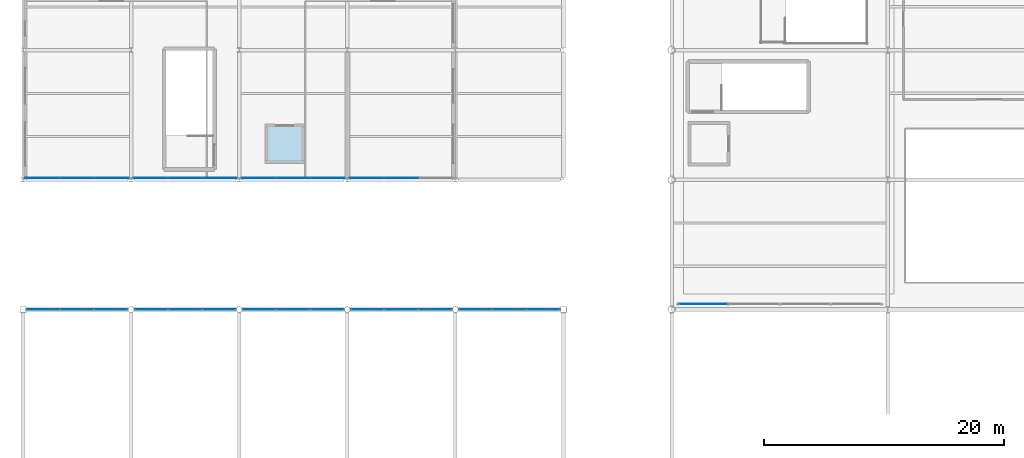
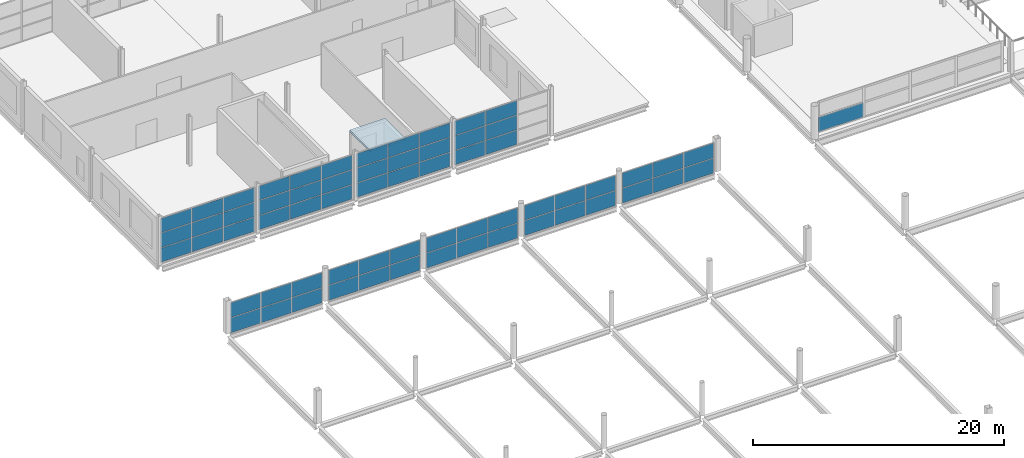
# One storey, part 114 of 134: 64 plates, 1 slab, 10 elements without a shape of their own.
"""IFC4 building model written with IfcOpenShell, lengths in metres."""

import ifcopenshell
import ifcopenshell.guid

model = None  # the IFC model being written
_history = None  # IfcOwnerHistory: only IFC2X3 demands one
_inside = {}  # id of a spatial element -> (the spatial element, [elements in it])
_under = {}  # id of a project, library or spatial element -> (it, [spatial elements below it])
_declared = {}  # id of a project -> (the project, [libraries it declares])
_typed = {}  # id of a type object -> (the type object, [elements of that type])
_made_of = {}  # id of a material, layer set ... -> (it, [elements and type objects made of it])


def new_model(schema):
    """Start an empty IFC model of exactly this schema.

    Asked for "IFC4X3", IfcOpenShell would pick the latest addendum, in which some entities
    have other attributes; the version numbers below select the first issue.
    IFC2X3 requires an IfcOwnerHistory on every rooted entity: one is made here for all.
    """
    global model, _history
    if schema == "IFC4X3":
        model = ifcopenshell.file(schema_version=(4, 3, 0, 0))
    else:
        model = ifcopenshell.file(schema=schema)
    _inside.clear()
    _under.clear()
    _declared.clear()
    _typed.clear()
    _made_of.clear()
    _history = None
    if model.schema == "IFC2X3":
        org = make("IfcOrganization", Name="unknown")
        user = make(
            "IfcPersonAndOrganization",
            ThePerson=make("IfcPerson", FamilyName="unknown"),
            TheOrganization=org,
        )
        app = make(
            "IfcApplication",
            ApplicationDeveloper=org,
            Version="unknown",
            ApplicationFullName="unknown",
            ApplicationIdentifier="unknown",
        )
        _history = make(
            "IfcOwnerHistory",
            OwningUser=user,
            OwningApplication=app,
            ChangeAction="ADDED",
            CreationDate=0,
        )
    return model


def make(cls, **values):
    """One entity of the class cls with the attributes given. An attribute that is None is left unset."""
    return model.create_entity(
        cls, **{name: value for name, value in values.items() if value is not None}
    )


def rooted(cls, **values):
    """An entity with a GlobalId (a new one), such as an element, a storey or a relation."""
    return make(cls, GlobalId=ifcopenshell.guid.new(), OwnerHistory=_history, **values)


def si_unit(unit_type, name, prefix=None):
    """IfcSIUnit, for example si_unit("LENGTHUNIT", "METRE", prefix="MILLI")."""
    return make("IfcSIUnit", UnitType=unit_type, Prefix=prefix, Name=name)


def assignment(units):
    """IfcUnitAssignment: the units of a project."""
    return None if units is None else make("IfcUnitAssignment", Units=units)


def point(xyz):
    """IfcCartesianPoint."""
    return None if xyz is None else make("IfcCartesianPoint", Coordinates=xyz)


def direction(xyz):
    """IfcDirection."""
    return None if xyz is None else make("IfcDirection", DirectionRatios=xyz)


def frame(location, z_axis=None, x_axis=None):
    """IfcAxis2Placement3D, a coordinate frame: its origin and axes. An axis left out is left unset."""
    return make(
        "IfcAxis2Placement3D",
        Location=point(location),
        Axis=direction(z_axis),
        RefDirection=direction(x_axis),
    )


def frame_2d(location, x_axis=None):
    """IfcAxis2Placement2D, a coordinate frame in the plane: its origin and x axis."""
    return make(
        "IfcAxis2Placement2D", Location=point(location), RefDirection=direction(x_axis)
    )


def origin():
    """The frame at (0, 0, 0) with its axes left unset."""
    return frame((0.0, 0.0, 0.0))


def origin_2d():
    """The frame at (0, 0) in the plane with its x axis left unset."""
    return frame_2d((0.0, 0.0))


def place(relative_to, where):
    """IfcLocalPlacement: puts the frame where relative to a parent placement (None: the world)."""
    return make(
        "IfcLocalPlacement", PlacementRelTo=relative_to, RelativePlacement=where
    )


def context(
    kind, dimensions, precision=None, world=None, true_north=None, identifier=None
):
    """IfcGeometricRepresentationContext, for example the 3D "Model" context."""
    return make(
        "IfcGeometricRepresentationContext",
        ContextIdentifier=identifier,
        ContextType=kind,
        CoordinateSpaceDimension=dimensions,
        Precision=precision,
        WorldCoordinateSystem=world,
        TrueNorth=true_north,
    )


def subcontext(parent, identifier, kind, view, scale=None):
    """IfcGeometricRepresentationSubContext, for example "Body" below "Model"."""
    return make(
        "IfcGeometricRepresentationSubContext",
        ContextIdentifier=identifier,
        ContextType=kind,
        ParentContext=parent,
        TargetScale=scale,
        TargetView=view,
    )


def project(units=None, contexts=None):
    """IfcProject with its units and contexts."""
    return rooted(
        "IfcProject",
        Name="project",
        RepresentationContexts=contexts,
        UnitsInContext=assignment(units),
    )


def spatial(cls, under=None, at=None, **own):
    """A site, building, storey or space (cls), placed at a placement, below another one or the project."""
    s = rooted(cls, ObjectPlacement=at, **own)
    if under is not None:
        _under.setdefault(under.id(), (under, []))[1].append(s)
    return s


def polyline(points):
    """IfcPolyline through the points."""
    return make("IfcPolyline", Points=[point(p) for p in points])


def profile(cls, at=None, kind="AREA", **sizes):
    """A parametric profile (cls). Its sizes go by their IFC names, for example OverallWidth=200.0."""
    return make(cls, ProfileType=kind, Position=at, **sizes)


def rectangle(**sizes):
    """IfcRectangleProfileDef."""
    return profile("IfcRectangleProfileDef", **sizes)


def outline(outer, holes=None, kind="AREA"):
    """IfcArbitraryClosedProfileDef: a profile drawn as a closed curve; with holes, ...WithVoids."""
    if holes is None:
        return make("IfcArbitraryClosedProfileDef", ProfileType=kind, OuterCurve=outer)
    return make(
        "IfcArbitraryProfileDefWithVoids",
        ProfileType=kind,
        OuterCurve=outer,
        InnerCurves=holes,
    )


def extrude(swept, where, along, depth):
    """IfcExtrudedAreaSolid: the profile swept, set in the frame where, extruded along a direction by depth."""
    return make(
        "IfcExtrudedAreaSolid",
        SweptArea=swept,
        Position=where,
        ExtrudedDirection=direction(along),
        Depth=depth,
    )


def shape(context_of_items, identifier, shape_type, items):
    """IfcShapeRepresentation: the items that make up one representation, for example the "Body"."""
    return make(
        "IfcShapeRepresentation",
        ContextOfItems=context_of_items,
        RepresentationIdentifier=identifier,
        RepresentationType=shape_type,
        Items=items,
    )


def material(Name=None, Category=None):
    """IfcMaterial."""
    return make("IfcMaterial", Name=Name, Category=Category)


def layer(
    of_material, thickness, ventilated=None, Name=None, Category=None, Priority=None
):
    """IfcMaterialLayer: one layer of a wall or slab, of a material (None: an air gap)."""
    return make(
        "IfcMaterialLayer",
        Material=of_material,
        LayerThickness=thickness,
        IsVentilated=ventilated,
        Name=Name,
        Category=Category,
        Priority=Priority,
    )


def layer_set(layers, Name=None):
    """IfcMaterialLayerSet."""
    return make("IfcMaterialLayerSet", MaterialLayers=layers, LayerSetName=Name)


def made_of(thing, what):
    """Note that an element or type object is made of a material, layer set ...; save() writes the relation."""
    if what is not None:
        _made_of.setdefault(what.id(), (what, []))[1].append(thing)
    return thing


def type_object(cls, material=None, **own):
    """A type object (cls), such as IfcWallType, which elements share."""
    return made_of(rooted(cls, **own), material)


def element(
    cls,
    number,
    at=None,
    inside=None,
    cuts=None,
    type_object=None,
    material=None,
    context=None,
    identifier="Body",
    shape_type=None,
    held_by="IfcProductDefinitionShape",
    body=None,
    shapes=None,
    **own,
):
    """One element of the class cls, such as IfcWall. Its Tag is "e" and its number.

    at: its placement. inside: the storey or other place that contains it. cuts: it is an
    opening in that element (IfcRelVoidsElement). A single representation is given by context,
    identifier, shape_type and body (its items); several are given by shapes. held_by: the class
    of the entity that holds the representations. save() writes the other relations.
    """
    e = rooted(cls, Tag="e%d" % number, ObjectPlacement=at, **own)
    if body is not None:
        shapes = [shape(context, identifier, shape_type, body)]
    if shapes is not None:
        e.Representation = make(held_by, Representations=shapes)
    if inside is not None:
        _inside.setdefault(inside.id(), (inside, []))[1].append(e)
    if cuts is not None:
        rooted(
            "IfcRelVoidsElement", RelatingBuildingElement=cuts, RelatedOpeningElement=e
        )
    if type_object is not None:
        _typed.setdefault(type_object.id(), (type_object, []))[1].append(e)
    return made_of(e, material)


def aggregate(whole, parts):
    """IfcRelAggregates: a whole, such as a stair, and the parts it consists of."""
    return rooted("IfcRelAggregates", RelatingObject=whole, RelatedObjects=parts)


def save(model, path):
    """Write the relations noted so far, then the file.

    IfcRelAggregates (storeys below a building ...), IfcRelContainedInSpatialStructure (elements
    in a storey), IfcRelDefinesByType, IfcRelAssociatesMaterial and IfcRelDeclares: one each for
    every whole, place, type object, material and project.
    """
    for whole, parts in _under.values():
        aggregate(whole, parts)
    for where, things in _inside.values():
        rooted(
            "IfcRelContainedInSpatialStructure",
            RelatedElements=things,
            RelatingStructure=where,
        )
    for kind, things in _typed.values():
        rooted("IfcRelDefinesByType", RelatedObjects=things, RelatingType=kind)
    for what, things in _made_of.values():
        rooted("IfcRelAssociatesMaterial", RelatedObjects=things, RelatingMaterial=what)
    for by, libraries in _declared.values():
        rooted("IfcRelDeclares", RelatingContext=by, RelatedDefinitions=libraries)
    model.write(path)


model = new_model("IFC4")

# Units and contexts
model_context = context("Model", 3, precision=1e-05, world=origin(), true_north=direction((0.0, 1.0)))
body_context = subcontext(model_context, "Body", "Model", "MODEL_VIEW")
ifc_project = project(units=[si_unit("LENGTHUNIT", "METRE"), si_unit("AREAUNIT", "SQUARE_METRE"), si_unit("VOLUMEUNIT", "CUBIC_METRE"), si_unit("PLANEANGLEUNIT", "RADIAN"), si_unit("MASSUNIT", "GRAM", prefix="KILO")], contexts=[model_context])

# Site, building, storey
site_placement = place(None, origin())
site = spatial("IfcSite", under=ifc_project, at=site_placement, CompositionType="ELEMENT")
building_placement = place(site_placement, origin())
building = spatial("IfcBuilding", under=site, at=building_placement, Name="Tamarisk Ironworks Central Station", CompositionType="ELEMENT")
storey_placement = place(building_placement, frame((0.0, 0.0, 12.60009765625)))
storey = spatial("IfcBuildingStorey", under=building, at=storey_placement, Name="L02", CompositionType="ELEMENT", Elevation=12.60009765625)

# Curtain wall, plate
ifc_material_1 = material(Name="Anodized aluminium alloy 6063-T6", Category="aluminium")
ifc_layer_1 = layer(ifc_material_1, 0.179931640625)
ifc_layer_set_1 = layer_set([ifc_layer_1], Name="Anodized aluminium alloy 6063-T6")
curtain_wall_type_1 = type_object("IfcCurtainWallType", Name="CW-24", PredefinedType="USERDEFINED", material=ifc_layer_set_1)
curtain_wall_1_placement = place(storey_placement, origin())
curtain_wall_1 = element("IfcCurtainWall", 1, at=curtain_wall_1_placement, inside=storey, type_object=curtain_wall_type_1, Name="Mezzanine south-west acoustic screen", ObjectType="GLAZED CURTAIN WALL", PredefinedType="USERDEFINED")
ifc_material_2 = material(Name="Laminated solar-control low-E glass", Category="glass")
ifc_layer_2 = layer(ifc_material_2, 0.02001953125)
ifc_layer_set_2 = layer_set([ifc_layer_2], Name="Laminated solar-control low-E glass")
plate_type_1 = type_object("IfcPlateType", Name="PL-CWP20", PredefinedType="CURTAIN_PANEL", material=ifc_layer_set_2)
plate_1_placement = place(storey_placement, frame((56.643798828125, 79.64990234375, 0.06884765625), z_axis=(0.0, 0.0, 1.0), x_axis=(1.0, 0.0, 0.0)))
plate_1 = element("IfcPlate", 2, at=plate_1_placement, type_object=plate_type_1, Name="CW24 panel 1.1", PredefinedType="CURTAIN_PANEL", context=body_context, shape_type="SweptSolid", body=[
    extrude(rectangle(XDim=4.1494140625, YDim=0.02001953125, at=origin_2d()), origin(), (0.0, 0.0, 1.0), 1.3994140625),
])
aggregate(curtain_wall_1, [plate_1])

# Curtain wall, plates
ifc_layer_3 = layer(ifc_material_1, 0.179931640625)
ifc_layer_set_3 = layer_set([ifc_layer_3], Name="Anodized aluminium alloy 6063-T6")
curtain_wall_type_2 = type_object("IfcCurtainWallType", Name="CW-08", PredefinedType="USERDEFINED", material=ifc_layer_set_3)
curtain_wall_2_placement = place(storey_placement, origin())
curtain_wall_2 = element("IfcCurtainWall", 3, at=curtain_wall_2_placement, inside=storey, type_object=curtain_wall_type_2, Name="Train shed WN clerestory curtain wall 000", ObjectType="GLAZED CURTAIN WALL", PredefinedType="USERDEFINED")
ifc_layer_4 = layer(ifc_material_1, 0.02392578125)
ifc_layer_set_4 = layer_set([ifc_layer_4], Name="Anodized aluminium alloy 6063-T6")
plate_type_2 = type_object("IfcPlateType", Name="PL-CWP24", PredefinedType="CURTAIN_PANEL", material=ifc_layer_set_4)
plate_2_placement = place(storey_placement, frame((1.6796875, 79.199951171875, -0.2060546875), z_axis=(0.0, 0.0, 1.0), x_axis=(1.0, 0.0, 0.0)))
plate_2 = element("IfcPlate", 4, at=plate_2_placement, type_object=plate_type_2, Name="CW08 panel 1.1", PredefinedType="CURTAIN_PANEL", context=body_context, shape_type="SweptSolid", body=[
    extrude(rectangle(XDim=2.75537109375, YDim=0.02392578125, at=origin_2d()), origin(), (0.0, 0.0, 1.0), 1.44189453125),
])
plate_3_placement = place(storey_placement, frame((1.6796875, 79.199951171875, 1.283935546875), z_axis=(0.0, 0.0, 1.0), x_axis=(1.0, 0.0, 0.0)))
plate_3 = element("IfcPlate", 5, at=plate_3_placement, type_object=plate_type_2, Name="CW08 panel 1.2", PredefinedType="CURTAIN_PANEL", context=body_context, shape_type="SweptSolid", body=[
    extrude(rectangle(XDim=2.75537109375, YDim=0.02392578125, at=origin_2d()), origin(), (0.0, 0.0, 1.0), 1.44189453125),
])
plate_4_placement = place(storey_placement, frame((4.498046875, 79.199951171875, -0.2060546875), z_axis=(0.0, 0.0, 1.0), x_axis=(1.0, 0.0, 0.0)))
plate_4 = element("IfcPlate", 6, at=plate_4_placement, type_object=plate_type_2, Name="CW08 panel 2.1", PredefinedType="CURTAIN_PANEL", context=body_context, shape_type="SweptSolid", body=[
    extrude(rectangle(XDim=2.785400390625, YDim=0.02392578125, at=origin_2d()), origin(), (0.0, 0.0, 1.0), 1.44189453125),
])
plate_5_placement = place(storey_placement, frame((4.498046875, 79.199951171875, 1.283935546875), z_axis=(0.0, 0.0, 1.0), x_axis=(1.0, 0.0, 0.0)))
plate_5 = element("IfcPlate", 7, at=plate_5_placement, type_object=plate_type_2, Name="CW08 panel 2.2", PredefinedType="CURTAIN_PANEL", context=body_context, shape_type="SweptSolid", body=[
    extrude(rectangle(XDim=2.785400390625, YDim=0.02392578125, at=origin_2d()), origin(), (0.0, 0.0, 1.0), 1.44189453125),
])
plate_6_placement = place(storey_placement, frame((7.31640625, 79.199951171875, -0.2060546875), z_axis=(0.0, 0.0, 1.0), x_axis=(1.0, 0.0, 0.0)))
plate_6 = element("IfcPlate", 8, at=plate_6_placement, type_object=plate_type_2, Name="CW08 panel 3.1", PredefinedType="CURTAIN_PANEL", context=body_context, shape_type="SweptSolid", body=[
    extrude(rectangle(XDim=2.75537109375, YDim=0.02392578125, at=origin_2d()), origin(), (0.0, 0.0, 1.0), 1.44189453125),
])
plate_7_placement = place(storey_placement, frame((7.31640625, 79.199951171875, 1.283935546875), z_axis=(0.0, 0.0, 1.0), x_axis=(1.0, 0.0, 0.0)))
plate_7 = element("IfcPlate", 9, at=plate_7_placement, type_object=plate_type_2, Name="CW08 panel 3.2", PredefinedType="CURTAIN_PANEL", context=body_context, shape_type="SweptSolid", body=[
    extrude(rectangle(XDim=2.75537109375, YDim=0.02392578125, at=origin_2d()), origin(), (0.0, 0.0, 1.0), 1.44189453125),
])
aggregate(curtain_wall_2, [plate_2, plate_3, plate_4, plate_5, plate_6, plate_7])

curtain_wall_3_placement = place(storey_placement, origin())
curtain_wall_3 = element("IfcCurtainWall", 10, at=curtain_wall_3_placement, inside=storey, type_object=curtain_wall_type_2, Name="Train shed WN clerestory curtain wall 009", ObjectType="GLAZED CURTAIN WALL", PredefinedType="USERDEFINED")
plate_8_placement = place(storey_placement, frame((10.68310546875, 79.199951171875, -0.2060546875), z_axis=(0.0, 0.0, 1.0), x_axis=(1.0, 0.0, 0.0)))
plate_8 = element("IfcPlate", 11, at=plate_8_placement, type_object=plate_type_2, Name="CW08 panel 1.1", PredefinedType="CURTAIN_PANEL", context=body_context, shape_type="SweptSolid", body=[
    extrude(rectangle(XDim=2.75390625, YDim=0.02392578125, at=origin_2d()), origin(), (0.0, 0.0, 1.0), 1.44189453125),
])
plate_9_placement = place(storey_placement, frame((10.68310546875, 79.199951171875, 1.283935546875), z_axis=(0.0, 0.0, 1.0), x_axis=(1.0, 0.0, 0.0)))
plate_9 = element("IfcPlate", 12, at=plate_9_placement, type_object=plate_type_2, Name="CW08 panel 1.2", PredefinedType="CURTAIN_PANEL", context=body_context, shape_type="SweptSolid", body=[
    extrude(rectangle(XDim=2.75390625, YDim=0.02392578125, at=origin_2d()), origin(), (0.0, 0.0, 1.0), 1.44189453125),
])
plate_10_placement = place(storey_placement, frame((13.5, 79.199951171875, -0.2060546875), z_axis=(0.0, 0.0, 1.0), x_axis=(1.0, 0.0, 0.0)))
plate_10 = element("IfcPlate", 13, at=plate_10_placement, type_object=plate_type_2, Name="CW08 panel 2.1", PredefinedType="CURTAIN_PANEL", context=body_context, shape_type="SweptSolid", body=[
    extrude(rectangle(XDim=2.783935546875, YDim=0.02392578125, at=origin_2d()), origin(), (0.0, 0.0, 1.0), 1.44189453125),
])
plate_11_placement = place(storey_placement, frame((13.5, 79.199951171875, 1.283935546875), z_axis=(0.0, 0.0, 1.0), x_axis=(1.0, 0.0, 0.0)))
plate_11 = element("IfcPlate", 14, at=plate_11_placement, type_object=plate_type_2, Name="CW08 panel 2.2", PredefinedType="CURTAIN_PANEL", context=body_context, shape_type="SweptSolid", body=[
    extrude(rectangle(XDim=2.783935546875, YDim=0.02392578125, at=origin_2d()), origin(), (0.0, 0.0, 1.0), 1.44189453125),
])
plate_12_placement = place(storey_placement, frame((16.31689453125, 79.199951171875, -0.2060546875), z_axis=(0.0, 0.0, 1.0), x_axis=(1.0, 0.0, 0.0)))
plate_12 = element("IfcPlate", 15, at=plate_12_placement, type_object=plate_type_2, Name="CW08 panel 3.1", PredefinedType="CURTAIN_PANEL", context=body_context, shape_type="SweptSolid", body=[
    extrude(rectangle(XDim=2.75390625, YDim=0.02392578125, at=origin_2d()), origin(), (0.0, 0.0, 1.0), 1.44189453125),
])
plate_13_placement = place(storey_placement, frame((16.31689453125, 79.199951171875, 1.283935546875), z_axis=(0.0, 0.0, 1.0), x_axis=(1.0, 0.0, 0.0)))
plate_13 = element("IfcPlate", 16, at=plate_13_placement, type_object=plate_type_2, Name="CW08 panel 3.2", PredefinedType="CURTAIN_PANEL", context=body_context, shape_type="SweptSolid", body=[
    extrude(rectangle(XDim=2.75390625, YDim=0.02392578125, at=origin_2d()), origin(), (0.0, 0.0, 1.0), 1.44189453125),
])
aggregate(curtain_wall_3, [plate_8, plate_9, plate_10, plate_11, plate_12, plate_13])

curtain_wall_4_placement = place(storey_placement, origin())
curtain_wall_4 = element("IfcCurtainWall", 17, at=curtain_wall_4_placement, inside=storey, type_object=curtain_wall_type_2, Name="Train shed WN clerestory curtain wall 018", ObjectType="GLAZED CURTAIN WALL", PredefinedType="USERDEFINED")
plate_14_placement = place(storey_placement, frame((19.68310546875, 79.199951171875, -0.2060546875), z_axis=(0.0, 0.0, 1.0), x_axis=(1.0, 0.0, 0.0)))
plate_14 = element("IfcPlate", 18, at=plate_14_placement, type_object=plate_type_2, Name="CW08 panel 1.1", PredefinedType="CURTAIN_PANEL", context=body_context, shape_type="SweptSolid", body=[
    extrude(rectangle(XDim=2.75390625, YDim=0.02392578125, at=origin_2d()), origin(), (0.0, 0.0, 1.0), 1.44189453125),
])
plate_15_placement = place(storey_placement, frame((19.68310546875, 79.199951171875, 1.283935546875), z_axis=(0.0, 0.0, 1.0), x_axis=(1.0, 0.0, 0.0)))
plate_15 = element("IfcPlate", 19, at=plate_15_placement, type_object=plate_type_2, Name="CW08 panel 1.2", PredefinedType="CURTAIN_PANEL", context=body_context, shape_type="SweptSolid", body=[
    extrude(rectangle(XDim=2.75390625, YDim=0.02392578125, at=origin_2d()), origin(), (0.0, 0.0, 1.0), 1.44189453125),
])
plate_16_placement = place(storey_placement, frame((22.5, 79.199951171875, -0.2060546875), z_axis=(0.0, 0.0, 1.0), x_axis=(1.0, 0.0, 0.0)))
plate_16 = element("IfcPlate", 20, at=plate_16_placement, type_object=plate_type_2, Name="CW08 panel 2.1", PredefinedType="CURTAIN_PANEL", context=body_context, shape_type="SweptSolid", body=[
    extrude(rectangle(XDim=2.783935546875, YDim=0.02392578125, at=origin_2d()), origin(), (0.0, 0.0, 1.0), 1.44189453125),
])
plate_17_placement = place(storey_placement, frame((22.5, 79.199951171875, 1.283935546875), z_axis=(0.0, 0.0, 1.0), x_axis=(1.0, 0.0, 0.0)))
plate_17 = element("IfcPlate", 21, at=plate_17_placement, type_object=plate_type_2, Name="CW08 panel 2.2", PredefinedType="CURTAIN_PANEL", context=body_context, shape_type="SweptSolid", body=[
    extrude(rectangle(XDim=2.783935546875, YDim=0.02392578125, at=origin_2d()), origin(), (0.0, 0.0, 1.0), 1.44189453125),
])
plate_18_placement = place(storey_placement, frame((25.31689453125, 79.199951171875, -0.2060546875), z_axis=(0.0, 0.0, 1.0), x_axis=(1.0, 0.0, 0.0)))
plate_18 = element("IfcPlate", 22, at=plate_18_placement, type_object=plate_type_2, Name="CW08 panel 3.1", PredefinedType="CURTAIN_PANEL", context=body_context, shape_type="SweptSolid", body=[
    extrude(rectangle(XDim=2.75390625, YDim=0.02392578125, at=origin_2d()), origin(), (0.0, 0.0, 1.0), 1.44189453125),
])
plate_19_placement = place(storey_placement, frame((25.31689453125, 79.199951171875, 1.283935546875), z_axis=(0.0, 0.0, 1.0), x_axis=(1.0, 0.0, 0.0)))
plate_19 = element("IfcPlate", 23, at=plate_19_placement, type_object=plate_type_2, Name="CW08 panel 3.2", PredefinedType="CURTAIN_PANEL", context=body_context, shape_type="SweptSolid", body=[
    extrude(rectangle(XDim=2.75390625, YDim=0.02392578125, at=origin_2d()), origin(), (0.0, 0.0, 1.0), 1.44189453125),
])
aggregate(curtain_wall_4, [plate_14, plate_15, plate_16, plate_17, plate_18, plate_19])

curtain_wall_5_placement = place(storey_placement, origin())
curtain_wall_5 = element("IfcCurtainWall", 24, at=curtain_wall_5_placement, inside=storey, type_object=curtain_wall_type_2, Name="Train shed WN clerestory curtain wall 027", ObjectType="GLAZED CURTAIN WALL", PredefinedType="USERDEFINED")
plate_20_placement = place(storey_placement, frame((28.68310546875, 79.199951171875, -0.2060546875), z_axis=(0.0, 0.0, 1.0), x_axis=(1.0, 0.0, 0.0)))
plate_20 = element("IfcPlate", 25, at=plate_20_placement, type_object=plate_type_2, Name="CW08 panel 1.1", PredefinedType="CURTAIN_PANEL", context=body_context, shape_type="SweptSolid", body=[
    extrude(rectangle(XDim=2.75390625, YDim=0.02392578125, at=origin_2d()), origin(), (0.0, 0.0, 1.0), 1.44189453125),
])
plate_21_placement = place(storey_placement, frame((28.68310546875, 79.199951171875, 1.283935546875), z_axis=(0.0, 0.0, 1.0), x_axis=(1.0, 0.0, 0.0)))
plate_21 = element("IfcPlate", 26, at=plate_21_placement, type_object=plate_type_2, Name="CW08 panel 1.2", PredefinedType="CURTAIN_PANEL", context=body_context, shape_type="SweptSolid", body=[
    extrude(rectangle(XDim=2.75390625, YDim=0.02392578125, at=origin_2d()), origin(), (0.0, 0.0, 1.0), 1.44189453125),
])
plate_22_placement = place(storey_placement, frame((31.5, 79.199951171875, -0.2060546875), z_axis=(0.0, 0.0, 1.0), x_axis=(1.0, 0.0, 0.0)))
plate_22 = element("IfcPlate", 27, at=plate_22_placement, type_object=plate_type_2, Name="CW08 panel 2.1", PredefinedType="CURTAIN_PANEL", context=body_context, shape_type="SweptSolid", body=[
    extrude(rectangle(XDim=2.783935546875, YDim=0.02392578125, at=origin_2d()), origin(), (0.0, 0.0, 1.0), 1.44189453125),
])
plate_23_placement = place(storey_placement, frame((31.5, 79.199951171875, 1.283935546875), z_axis=(0.0, 0.0, 1.0), x_axis=(1.0, 0.0, 0.0)))
plate_23 = element("IfcPlate", 28, at=plate_23_placement, type_object=plate_type_2, Name="CW08 panel 2.2", PredefinedType="CURTAIN_PANEL", context=body_context, shape_type="SweptSolid", body=[
    extrude(rectangle(XDim=2.783935546875, YDim=0.02392578125, at=origin_2d()), origin(), (0.0, 0.0, 1.0), 1.44189453125),
])
plate_24_placement = place(storey_placement, frame((34.31689453125, 79.199951171875, -0.2060546875), z_axis=(0.0, 0.0, 1.0), x_axis=(1.0, 0.0, 0.0)))
plate_24 = element("IfcPlate", 29, at=plate_24_placement, type_object=plate_type_2, Name="CW08 panel 3.1", PredefinedType="CURTAIN_PANEL", context=body_context, shape_type="SweptSolid", body=[
    extrude(rectangle(XDim=2.75390625, YDim=0.02392578125, at=origin_2d()), origin(), (0.0, 0.0, 1.0), 1.44189453125),
])
plate_25_placement = place(storey_placement, frame((34.31689453125, 79.199951171875, 1.283935546875), z_axis=(0.0, 0.0, 1.0), x_axis=(1.0, 0.0, 0.0)))
plate_25 = element("IfcPlate", 30, at=plate_25_placement, type_object=plate_type_2, Name="CW08 panel 3.2", PredefinedType="CURTAIN_PANEL", context=body_context, shape_type="SweptSolid", body=[
    extrude(rectangle(XDim=2.75390625, YDim=0.02392578125, at=origin_2d()), origin(), (0.0, 0.0, 1.0), 1.44189453125),
])
aggregate(curtain_wall_5, [plate_20, plate_21, plate_22, plate_23, plate_24, plate_25])

curtain_wall_6_placement = place(storey_placement, origin())
curtain_wall_6 = element("IfcCurtainWall", 31, at=curtain_wall_6_placement, inside=storey, type_object=curtain_wall_type_2, Name="Train shed WN clerestory curtain wall 036", ObjectType="GLAZED CURTAIN WALL", PredefinedType="USERDEFINED")
plate_26_placement = place(storey_placement, frame((37.68359375, 79.199951171875, -0.2060546875), z_axis=(0.0, 0.0, 1.0), x_axis=(1.0, 0.0, 0.0)))
plate_26 = element("IfcPlate", 32, at=plate_26_placement, type_object=plate_type_2, Name="CW08 panel 1.1", PredefinedType="CURTAIN_PANEL", context=body_context, shape_type="SweptSolid", body=[
    extrude(rectangle(XDim=2.75537109375, YDim=0.02392578125, at=origin_2d()), origin(), (0.0, 0.0, 1.0), 1.44189453125),
])
plate_27_placement = place(storey_placement, frame((37.68359375, 79.199951171875, 1.283935546875), z_axis=(0.0, 0.0, 1.0), x_axis=(1.0, 0.0, 0.0)))
plate_27 = element("IfcPlate", 33, at=plate_27_placement, type_object=plate_type_2, Name="CW08 panel 1.2", PredefinedType="CURTAIN_PANEL", context=body_context, shape_type="SweptSolid", body=[
    extrude(rectangle(XDim=2.75537109375, YDim=0.02392578125, at=origin_2d()), origin(), (0.0, 0.0, 1.0), 1.44189453125),
])
plate_28_placement = place(storey_placement, frame((40.501953125, 79.199951171875, -0.2060546875), z_axis=(0.0, 0.0, 1.0), x_axis=(1.0, 0.0, 0.0)))
plate_28 = element("IfcPlate", 34, at=plate_28_placement, type_object=plate_type_2, Name="CW08 panel 2.1", PredefinedType="CURTAIN_PANEL", context=body_context, shape_type="SweptSolid", body=[
    extrude(rectangle(XDim=2.785400390625, YDim=0.02392578125, at=origin_2d()), origin(), (0.0, 0.0, 1.0), 1.44189453125),
])
plate_29_placement = place(storey_placement, frame((40.501953125, 79.199951171875, 1.283935546875), z_axis=(0.0, 0.0, 1.0), x_axis=(1.0, 0.0, 0.0)))
plate_29 = element("IfcPlate", 35, at=plate_29_placement, type_object=plate_type_2, Name="CW08 panel 2.2", PredefinedType="CURTAIN_PANEL", context=body_context, shape_type="SweptSolid", body=[
    extrude(rectangle(XDim=2.785400390625, YDim=0.02392578125, at=origin_2d()), origin(), (0.0, 0.0, 1.0), 1.44189453125),
])
plate_30_placement = place(storey_placement, frame((43.3203125, 79.199951171875, -0.2060546875), z_axis=(0.0, 0.0, 1.0), x_axis=(1.0, 0.0, 0.0)))
plate_30 = element("IfcPlate", 36, at=plate_30_placement, type_object=plate_type_2, Name="CW08 panel 3.1", PredefinedType="CURTAIN_PANEL", context=body_context, shape_type="SweptSolid", body=[
    extrude(rectangle(XDim=2.75537109375, YDim=0.02392578125, at=origin_2d()), origin(), (0.0, 0.0, 1.0), 1.44189453125),
])
plate_31_placement = place(storey_placement, frame((43.3203125, 79.199951171875, 1.283935546875), z_axis=(0.0, 0.0, 1.0), x_axis=(1.0, 0.0, 0.0)))
plate_31 = element("IfcPlate", 37, at=plate_31_placement, type_object=plate_type_2, Name="CW08 panel 3.2", PredefinedType="CURTAIN_PANEL", context=body_context, shape_type="SweptSolid", body=[
    extrude(rectangle(XDim=2.75537109375, YDim=0.02392578125, at=origin_2d()), origin(), (0.0, 0.0, 1.0), 1.44189453125),
])
aggregate(curtain_wall_6, [plate_26, plate_27, plate_28, plate_29, plate_30, plate_31])

ifc_layer_5 = layer(ifc_material_1, 0.179931640625)
ifc_layer_set_5 = layer_set([ifc_layer_5], Name="Anodized aluminium alloy 6063-T6")
curtain_wall_type_3 = type_object("IfcCurtainWallType", Name="CW-11", PredefinedType="USERDEFINED", material=ifc_layer_set_5)
curtain_wall_7_placement = place(storey_placement, origin())
curtain_wall_7 = element("IfcCurtainWall", 38, at=curtain_wall_7_placement, inside=storey, type_object=curtain_wall_type_3, Name="Pavilion L02 S glazed arcade 00", ObjectType="GLAZED CURTAIN WALL", PredefinedType="USERDEFINED")
ifc_layer_6 = layer(ifc_material_2, 0.028076171875)
ifc_layer_set_6 = layer_set([ifc_layer_6], Name="Laminated solar-control low-E glass")
plate_type_3 = type_object("IfcPlateType", Name="PL-CWP28", PredefinedType="CURTAIN_PANEL", material=ifc_layer_set_6)
plate_32_placement = place(storey_placement, frame((1.61376953125, 90.14990234375, 0.0537109375), z_axis=(0.0, 0.0, 1.0), x_axis=(1.0, 0.0, 0.0)))
plate_32 = element("IfcPlate", 39, at=plate_32_placement, type_object=plate_type_3, Name="CW11 panel 1.1", PredefinedType="CURTAIN_PANEL", context=body_context, shape_type="SweptSolid", body=[
    extrude(rectangle(XDim=2.8232421875, YDim=0.028076171875, at=origin_2d()), origin(), (0.0, 0.0, 1.0), 1.375244140625),
])
plate_33_placement = place(storey_placement, frame((1.61376953125, 90.14990234375, 1.47705078125), z_axis=(0.0, 0.0, 1.0), x_axis=(1.0, 0.0, 0.0)))
plate_33 = element("IfcPlate", 40, at=plate_33_placement, type_object=plate_type_3, Name="CW11 panel 1.2", PredefinedType="CURTAIN_PANEL", context=body_context, shape_type="SweptSolid", body=[
    extrude(rectangle(XDim=2.8232421875, YDim=0.028076171875, at=origin_2d()), origin(), (0.0, 0.0, 1.0), 1.405517578125),
])
plate_34_placement = place(storey_placement, frame((1.61376953125, 90.14990234375, 2.9306640625), z_axis=(0.0, 0.0, 1.0), x_axis=(1.0, 0.0, 0.0)))
plate_34 = element("IfcPlate", 41, at=plate_34_placement, type_object=plate_type_3, Name="CW11 panel 1.3", PredefinedType="CURTAIN_PANEL", context=body_context, shape_type="SweptSolid", body=[
    extrude(rectangle(XDim=2.8232421875, YDim=0.028076171875, at=origin_2d()), origin(), (0.0, 0.0, 1.0), 1.375244140625),
])
plate_35_placement = place(storey_placement, frame((4.5, 90.14990234375, 0.0537109375), z_axis=(0.0, 0.0, 1.0), x_axis=(1.0, 0.0, 0.0)))
plate_35 = element("IfcPlate", 42, at=plate_35_placement, type_object=plate_type_3, Name="CW11 panel 2.1", PredefinedType="CURTAIN_PANEL", context=body_context, shape_type="SweptSolid", body=[
    extrude(rectangle(XDim=2.853271484375, YDim=0.028076171875, at=origin_2d()), origin(), (0.0, 0.0, 1.0), 1.375244140625),
])
plate_36_placement = place(storey_placement, frame((4.5, 90.14990234375, 1.47705078125), z_axis=(0.0, 0.0, 1.0), x_axis=(1.0, 0.0, 0.0)))
plate_36 = element("IfcPlate", 43, at=plate_36_placement, type_object=plate_type_3, Name="CW11 panel 2.2", PredefinedType="CURTAIN_PANEL", context=body_context, shape_type="SweptSolid", body=[
    extrude(rectangle(XDim=2.853271484375, YDim=0.028076171875, at=origin_2d()), origin(), (0.0, 0.0, 1.0), 1.405517578125),
])
plate_37_placement = place(storey_placement, frame((4.5, 90.14990234375, 2.9306640625), z_axis=(0.0, 0.0, 1.0), x_axis=(1.0, 0.0, 0.0)))
plate_37 = element("IfcPlate", 44, at=plate_37_placement, type_object=plate_type_3, Name="CW11 panel 2.3", PredefinedType="CURTAIN_PANEL", context=body_context, shape_type="SweptSolid", body=[
    extrude(rectangle(XDim=2.853271484375, YDim=0.028076171875, at=origin_2d()), origin(), (0.0, 0.0, 1.0), 1.375244140625),
])
plate_38_placement = place(storey_placement, frame((7.38623046875, 90.14990234375, 0.0537109375), z_axis=(0.0, 0.0, 1.0), x_axis=(1.0, 0.0, 0.0)))
plate_38 = element("IfcPlate", 45, at=plate_38_placement, type_object=plate_type_3, Name="CW11 panel 3.1", PredefinedType="CURTAIN_PANEL", context=body_context, shape_type="SweptSolid", body=[
    extrude(rectangle(XDim=2.8232421875, YDim=0.028076171875, at=origin_2d()), origin(), (0.0, 0.0, 1.0), 1.375244140625),
])
plate_39_placement = place(storey_placement, frame((7.38623046875, 90.14990234375, 1.47705078125), z_axis=(0.0, 0.0, 1.0), x_axis=(1.0, 0.0, 0.0)))
plate_39 = element("IfcPlate", 46, at=plate_39_placement, type_object=plate_type_3, Name="CW11 panel 3.2", PredefinedType="CURTAIN_PANEL", context=body_context, shape_type="SweptSolid", body=[
    extrude(rectangle(XDim=2.8232421875, YDim=0.028076171875, at=origin_2d()), origin(), (0.0, 0.0, 1.0), 1.405517578125),
])
plate_40_placement = place(storey_placement, frame((7.38623046875, 90.14990234375, 2.9306640625), z_axis=(0.0, 0.0, 1.0), x_axis=(1.0, 0.0, 0.0)))
plate_40 = element("IfcPlate", 47, at=plate_40_placement, type_object=plate_type_3, Name="CW11 panel 3.3", PredefinedType="CURTAIN_PANEL", context=body_context, shape_type="SweptSolid", body=[
    extrude(rectangle(XDim=2.8232421875, YDim=0.028076171875, at=origin_2d()), origin(), (0.0, 0.0, 1.0), 1.375244140625),
])
aggregate(curtain_wall_7, [plate_32, plate_33, plate_34, plate_35, plate_36, plate_37, plate_38, plate_39, plate_40])

curtain_wall_8_placement = place(storey_placement, origin())
curtain_wall_8 = element("IfcCurtainWall", 48, at=curtain_wall_8_placement, inside=storey, type_object=curtain_wall_type_3, Name="Pavilion L02 S glazed arcade 09", ObjectType="GLAZED CURTAIN WALL", PredefinedType="USERDEFINED")
plate_41_placement = place(storey_placement, frame((10.61376953125, 90.14990234375, 0.0537109375), z_axis=(0.0, 0.0, 1.0), x_axis=(1.0, 0.0, 0.0)))
plate_41 = element("IfcPlate", 49, at=plate_41_placement, type_object=plate_type_3, Name="CW11 panel 1.1", PredefinedType="CURTAIN_PANEL", context=body_context, shape_type="SweptSolid", body=[
    extrude(rectangle(XDim=2.8232421875, YDim=0.028076171875, at=origin_2d()), origin(), (0.0, 0.0, 1.0), 1.375244140625),
])
plate_42_placement = place(storey_placement, frame((10.61376953125, 90.14990234375, 1.47705078125), z_axis=(0.0, 0.0, 1.0), x_axis=(1.0, 0.0, 0.0)))
plate_42 = element("IfcPlate", 50, at=plate_42_placement, type_object=plate_type_3, Name="CW11 panel 1.2", PredefinedType="CURTAIN_PANEL", context=body_context, shape_type="SweptSolid", body=[
    extrude(rectangle(XDim=2.8232421875, YDim=0.028076171875, at=origin_2d()), origin(), (0.0, 0.0, 1.0), 1.405517578125),
])
plate_43_placement = place(storey_placement, frame((10.61376953125, 90.14990234375, 2.9306640625), z_axis=(0.0, 0.0, 1.0), x_axis=(1.0, 0.0, 0.0)))
plate_43 = element("IfcPlate", 51, at=plate_43_placement, type_object=plate_type_3, Name="CW11 panel 1.3", PredefinedType="CURTAIN_PANEL", context=body_context, shape_type="SweptSolid", body=[
    extrude(rectangle(XDim=2.8232421875, YDim=0.028076171875, at=origin_2d()), origin(), (0.0, 0.0, 1.0), 1.375244140625),
])
plate_44_placement = place(storey_placement, frame((13.5, 90.14990234375, 0.0537109375), z_axis=(0.0, 0.0, 1.0), x_axis=(1.0, 0.0, 0.0)))
plate_44 = element("IfcPlate", 52, at=plate_44_placement, type_object=plate_type_3, Name="CW11 panel 2.1", PredefinedType="CURTAIN_PANEL", context=body_context, shape_type="SweptSolid", body=[
    extrude(rectangle(XDim=2.853271484375, YDim=0.028076171875, at=origin_2d()), origin(), (0.0, 0.0, 1.0), 1.375244140625),
])
plate_45_placement = place(storey_placement, frame((13.5, 90.14990234375, 1.47705078125), z_axis=(0.0, 0.0, 1.0), x_axis=(1.0, 0.0, 0.0)))
plate_45 = element("IfcPlate", 53, at=plate_45_placement, type_object=plate_type_3, Name="CW11 panel 2.2", PredefinedType="CURTAIN_PANEL", context=body_context, shape_type="SweptSolid", body=[
    extrude(rectangle(XDim=2.853271484375, YDim=0.028076171875, at=origin_2d()), origin(), (0.0, 0.0, 1.0), 1.405517578125),
])
plate_46_placement = place(storey_placement, frame((13.5, 90.14990234375, 2.9306640625), z_axis=(0.0, 0.0, 1.0), x_axis=(1.0, 0.0, 0.0)))
plate_46 = element("IfcPlate", 54, at=plate_46_placement, type_object=plate_type_3, Name="CW11 panel 2.3", PredefinedType="CURTAIN_PANEL", context=body_context, shape_type="SweptSolid", body=[
    extrude(rectangle(XDim=2.853271484375, YDim=0.028076171875, at=origin_2d()), origin(), (0.0, 0.0, 1.0), 1.375244140625),
])
plate_47_placement = place(storey_placement, frame((16.38623046875, 90.14990234375, 0.0537109375), z_axis=(0.0, 0.0, 1.0), x_axis=(1.0, 0.0, 0.0)))
plate_47 = element("IfcPlate", 55, at=plate_47_placement, type_object=plate_type_3, Name="CW11 panel 3.1", PredefinedType="CURTAIN_PANEL", context=body_context, shape_type="SweptSolid", body=[
    extrude(rectangle(XDim=2.8232421875, YDim=0.028076171875, at=origin_2d()), origin(), (0.0, 0.0, 1.0), 1.375244140625),
])
plate_48_placement = place(storey_placement, frame((16.38623046875, 90.14990234375, 1.47705078125), z_axis=(0.0, 0.0, 1.0), x_axis=(1.0, 0.0, 0.0)))
plate_48 = element("IfcPlate", 56, at=plate_48_placement, type_object=plate_type_3, Name="CW11 panel 3.2", PredefinedType="CURTAIN_PANEL", context=body_context, shape_type="SweptSolid", body=[
    extrude(rectangle(XDim=2.8232421875, YDim=0.028076171875, at=origin_2d()), origin(), (0.0, 0.0, 1.0), 1.405517578125),
])
plate_49_placement = place(storey_placement, frame((16.38623046875, 90.14990234375, 2.9306640625), z_axis=(0.0, 0.0, 1.0), x_axis=(1.0, 0.0, 0.0)))
plate_49 = element("IfcPlate", 57, at=plate_49_placement, type_object=plate_type_3, Name="CW11 panel 3.3", PredefinedType="CURTAIN_PANEL", context=body_context, shape_type="SweptSolid", body=[
    extrude(rectangle(XDim=2.8232421875, YDim=0.028076171875, at=origin_2d()), origin(), (0.0, 0.0, 1.0), 1.375244140625),
])
aggregate(curtain_wall_8, [plate_41, plate_42, plate_43, plate_44, plate_45, plate_46, plate_47, plate_48, plate_49])

curtain_wall_9_placement = place(storey_placement, origin())
curtain_wall_9 = element("IfcCurtainWall", 58, at=curtain_wall_9_placement, inside=storey, type_object=curtain_wall_type_3, Name="Pavilion L02 S glazed arcade 18", ObjectType="GLAZED CURTAIN WALL", PredefinedType="USERDEFINED")
plate_50_placement = place(storey_placement, frame((19.61376953125, 90.14990234375, 0.0537109375), z_axis=(0.0, 0.0, 1.0), x_axis=(1.0, 0.0, 0.0)))
plate_50 = element("IfcPlate", 59, at=plate_50_placement, type_object=plate_type_3, Name="CW11 panel 1.1", PredefinedType="CURTAIN_PANEL", context=body_context, shape_type="SweptSolid", body=[
    extrude(rectangle(XDim=2.8232421875, YDim=0.028076171875, at=origin_2d()), origin(), (0.0, 0.0, 1.0), 1.375244140625),
])
plate_51_placement = place(storey_placement, frame((19.61376953125, 90.14990234375, 1.47705078125), z_axis=(0.0, 0.0, 1.0), x_axis=(1.0, 0.0, 0.0)))
plate_51 = element("IfcPlate", 60, at=plate_51_placement, type_object=plate_type_3, Name="CW11 panel 1.2", PredefinedType="CURTAIN_PANEL", context=body_context, shape_type="SweptSolid", body=[
    extrude(rectangle(XDim=2.8232421875, YDim=0.028076171875, at=origin_2d()), origin(), (0.0, 0.0, 1.0), 1.405517578125),
])
plate_52_placement = place(storey_placement, frame((19.61376953125, 90.14990234375, 2.9306640625), z_axis=(0.0, 0.0, 1.0), x_axis=(1.0, 0.0, 0.0)))
plate_52 = element("IfcPlate", 61, at=plate_52_placement, type_object=plate_type_3, Name="CW11 panel 1.3", PredefinedType="CURTAIN_PANEL", context=body_context, shape_type="SweptSolid", body=[
    extrude(rectangle(XDim=2.8232421875, YDim=0.028076171875, at=origin_2d()), origin(), (0.0, 0.0, 1.0), 1.375244140625),
])
plate_53_placement = place(storey_placement, frame((22.5, 90.14990234375, 0.0537109375), z_axis=(0.0, 0.0, 1.0), x_axis=(1.0, 0.0, 0.0)))
plate_53 = element("IfcPlate", 62, at=plate_53_placement, type_object=plate_type_3, Name="CW11 panel 2.1", PredefinedType="CURTAIN_PANEL", context=body_context, shape_type="SweptSolid", body=[
    extrude(rectangle(XDim=2.853271484375, YDim=0.028076171875, at=origin_2d()), origin(), (0.0, 0.0, 1.0), 1.375244140625),
])
plate_54_placement = place(storey_placement, frame((22.5, 90.14990234375, 1.47705078125), z_axis=(0.0, 0.0, 1.0), x_axis=(1.0, 0.0, 0.0)))
plate_54 = element("IfcPlate", 63, at=plate_54_placement, type_object=plate_type_3, Name="CW11 panel 2.2", PredefinedType="CURTAIN_PANEL", context=body_context, shape_type="SweptSolid", body=[
    extrude(rectangle(XDim=2.853271484375, YDim=0.028076171875, at=origin_2d()), origin(), (0.0, 0.0, 1.0), 1.405517578125),
])
plate_55_placement = place(storey_placement, frame((22.5, 90.14990234375, 2.9306640625), z_axis=(0.0, 0.0, 1.0), x_axis=(1.0, 0.0, 0.0)))
plate_55 = element("IfcPlate", 64, at=plate_55_placement, type_object=plate_type_3, Name="CW11 panel 2.3", PredefinedType="CURTAIN_PANEL", context=body_context, shape_type="SweptSolid", body=[
    extrude(rectangle(XDim=2.853271484375, YDim=0.028076171875, at=origin_2d()), origin(), (0.0, 0.0, 1.0), 1.375244140625),
])
plate_56_placement = place(storey_placement, frame((25.38623046875, 90.14990234375, 0.0537109375), z_axis=(0.0, 0.0, 1.0), x_axis=(1.0, 0.0, 0.0)))
plate_56 = element("IfcPlate", 65, at=plate_56_placement, type_object=plate_type_3, Name="CW11 panel 3.1", PredefinedType="CURTAIN_PANEL", context=body_context, shape_type="SweptSolid", body=[
    extrude(rectangle(XDim=2.8232421875, YDim=0.028076171875, at=origin_2d()), origin(), (0.0, 0.0, 1.0), 1.375244140625),
])
plate_57_placement = place(storey_placement, frame((25.38623046875, 90.14990234375, 1.47705078125), z_axis=(0.0, 0.0, 1.0), x_axis=(1.0, 0.0, 0.0)))
plate_57 = element("IfcPlate", 66, at=plate_57_placement, type_object=plate_type_3, Name="CW11 panel 3.2", PredefinedType="CURTAIN_PANEL", context=body_context, shape_type="SweptSolid", body=[
    extrude(rectangle(XDim=2.8232421875, YDim=0.028076171875, at=origin_2d()), origin(), (0.0, 0.0, 1.0), 1.405517578125),
])
plate_58_placement = place(storey_placement, frame((25.38623046875, 90.14990234375, 2.9306640625), z_axis=(0.0, 0.0, 1.0), x_axis=(1.0, 0.0, 0.0)))
plate_58 = element("IfcPlate", 67, at=plate_58_placement, type_object=plate_type_3, Name="CW11 panel 3.3", PredefinedType="CURTAIN_PANEL", context=body_context, shape_type="SweptSolid", body=[
    extrude(rectangle(XDim=2.8232421875, YDim=0.028076171875, at=origin_2d()), origin(), (0.0, 0.0, 1.0), 1.375244140625),
])
aggregate(curtain_wall_9, [plate_50, plate_51, plate_52, plate_53, plate_54, plate_55, plate_56, plate_57, plate_58])

curtain_wall_10_placement = place(storey_placement, origin())
curtain_wall_10 = element("IfcCurtainWall", 68, at=curtain_wall_10_placement, inside=storey, type_object=curtain_wall_type_3, Name="Pavilion L02 S glazed arcade 27", ObjectType="GLAZED CURTAIN WALL", PredefinedType="USERDEFINED")
plate_59_placement = place(storey_placement, frame((28.61376953125, 90.14990234375, 0.0537109375), z_axis=(0.0, 0.0, 1.0), x_axis=(1.0, 0.0, 0.0)))
plate_59 = element("IfcPlate", 69, at=plate_59_placement, type_object=plate_type_3, Name="CW11 panel 1.1", PredefinedType="CURTAIN_PANEL", context=body_context, shape_type="SweptSolid", body=[
    extrude(rectangle(XDim=2.8232421875, YDim=0.028076171875, at=origin_2d()), origin(), (0.0, 0.0, 1.0), 1.375244140625),
])
plate_60_placement = place(storey_placement, frame((28.61376953125, 90.14990234375, 1.47705078125), z_axis=(0.0, 0.0, 1.0), x_axis=(1.0, 0.0, 0.0)))
plate_60 = element("IfcPlate", 70, at=plate_60_placement, type_object=plate_type_3, Name="CW11 panel 1.2", PredefinedType="CURTAIN_PANEL", context=body_context, shape_type="SweptSolid", body=[
    extrude(rectangle(XDim=2.8232421875, YDim=0.028076171875, at=origin_2d()), origin(), (0.0, 0.0, 1.0), 1.405517578125),
])
plate_61_placement = place(storey_placement, frame((28.61376953125, 90.14990234375, 2.9306640625), z_axis=(0.0, 0.0, 1.0), x_axis=(1.0, 0.0, 0.0)))
plate_61 = element("IfcPlate", 71, at=plate_61_placement, type_object=plate_type_3, Name="CW11 panel 1.3", PredefinedType="CURTAIN_PANEL", context=body_context, shape_type="SweptSolid", body=[
    extrude(rectangle(XDim=2.8232421875, YDim=0.028076171875, at=origin_2d()), origin(), (0.0, 0.0, 1.0), 1.375244140625),
])
plate_62_placement = place(storey_placement, frame((31.5, 90.14990234375, 0.0537109375), z_axis=(0.0, 0.0, 1.0), x_axis=(1.0, 0.0, 0.0)))
plate_62 = element("IfcPlate", 72, at=plate_62_placement, type_object=plate_type_3, Name="CW11 panel 2.1", PredefinedType="CURTAIN_PANEL", context=body_context, shape_type="SweptSolid", body=[
    extrude(rectangle(XDim=2.853271484375, YDim=0.028076171875, at=origin_2d()), origin(), (0.0, 0.0, 1.0), 1.375244140625),
])
plate_63_placement = place(storey_placement, frame((31.5, 90.14990234375, 1.47705078125), z_axis=(0.0, 0.0, 1.0), x_axis=(1.0, 0.0, 0.0)))
plate_63 = element("IfcPlate", 73, at=plate_63_placement, type_object=plate_type_3, Name="CW11 panel 2.2", PredefinedType="CURTAIN_PANEL", context=body_context, shape_type="SweptSolid", body=[
    extrude(rectangle(XDim=2.853271484375, YDim=0.028076171875, at=origin_2d()), origin(), (0.0, 0.0, 1.0), 1.405517578125),
])
plate_64_placement = place(storey_placement, frame((31.5, 90.14990234375, 2.9306640625), z_axis=(0.0, 0.0, 1.0), x_axis=(1.0, 0.0, 0.0)))
plate_64 = element("IfcPlate", 74, at=plate_64_placement, type_object=plate_type_3, Name="CW11 panel 2.3", PredefinedType="CURTAIN_PANEL", context=body_context, shape_type="SweptSolid", body=[
    extrude(rectangle(XDim=2.853271484375, YDim=0.028076171875, at=origin_2d()), origin(), (0.0, 0.0, 1.0), 1.375244140625),
])
aggregate(curtain_wall_10, [plate_59, plate_60, plate_61, plate_62, plate_63, plate_64])

# Slab
ifc_material_3 = material(Name="Concrete C35/45", Category="concrete")
ifc_layer_7 = layer(ifc_material_3, 0.159912109375)
ifc_layer_set_7 = layer_set([ifc_layer_7], Name="Concrete C35/45")
slab_type = type_object("IfcSlabType", Name="SL-RF160", PredefinedType="ROOF", material=ifc_layer_set_7)
slab_placement = place(storey_placement, frame((0.0, 0.0, 3.0498046875)))
element("IfcSlab", 75, at=slab_placement, inside=storey, type_object=slab_type, Name="LF-V1 shaft overrun cap slab", PredefinedType="ROOF", context=body_context, shape_type="SweptSolid", body=[
    extrude(outline(polyline([(20.14990234375, 91.35009765625), (23.449951171875, 91.35009765625), (23.449951171875, 94.64990234375), (20.14990234375, 94.64990234375), (20.14990234375, 91.35009765625)])), origin(), (0.0, 0.0, 1.0), 0.16015625),
])

save(model, "model.ifc")
